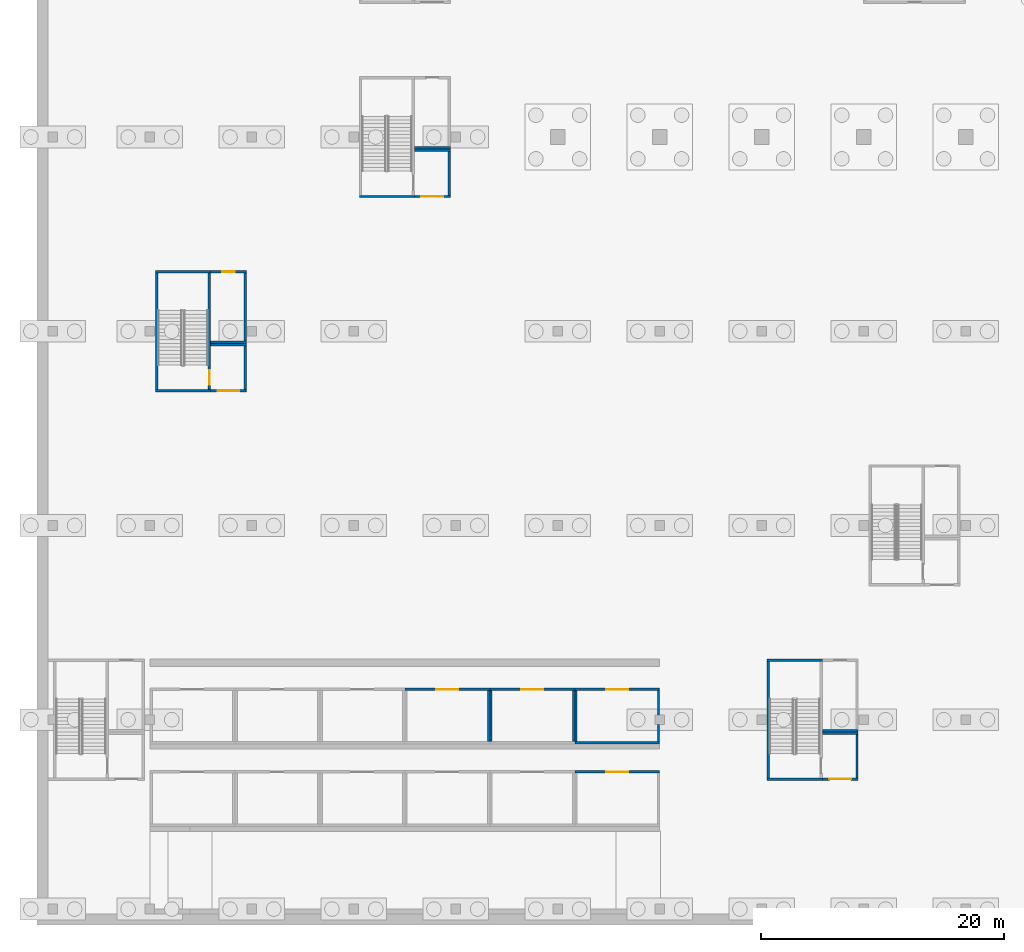
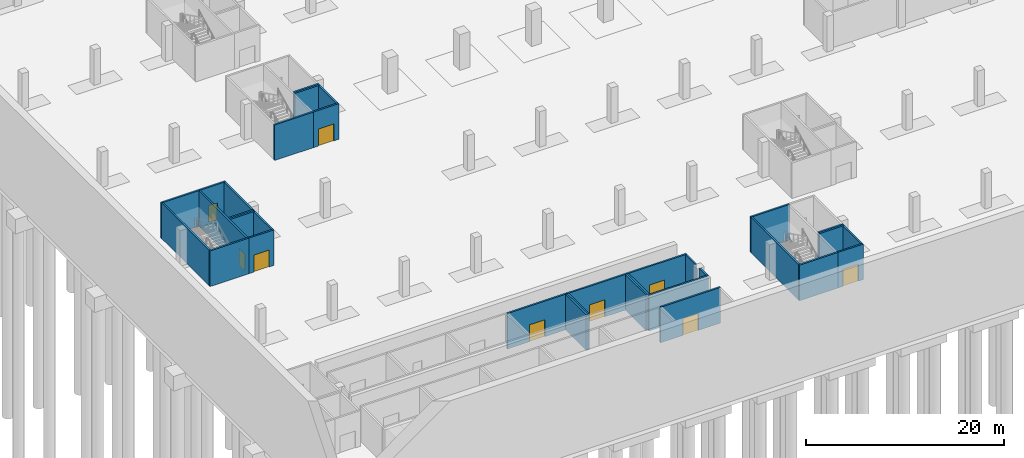
# One storey, part 7 of 46: 33 walls, 9 doors, 9 openings.
"""IFC4 building model written with IfcOpenShell, lengths in metres."""

from ifc_helpers import new_model, si_unit, direction, frame, frame_2d, origin, place, context, subcontext, project, spatial, rectangle, extrude, material, layer, layer_set, type_object, element, fill, save


model = new_model("IFC4")

# Units and contexts
model_context = context("Model", 3, precision=1e-05, world=origin(), true_north=direction((0.0, 1.0)))
body_context = subcontext(model_context, "Body", "Model", "MODEL_VIEW")
ifc_project = project(units=[si_unit("LENGTHUNIT", "METRE"), si_unit("AREAUNIT", "SQUARE_METRE"), si_unit("VOLUMEUNIT", "CUBIC_METRE"), si_unit("PLANEANGLEUNIT", "RADIAN"), si_unit("MASSUNIT", "GRAM", prefix="KILO")], contexts=[model_context])

# Site, building, storey
site_placement = place(None, origin())
site = spatial("IfcSite", under=ifc_project, at=site_placement, CompositionType="ELEMENT")
building_placement = place(site_placement, origin())
building = spatial("IfcBuilding", under=site, at=building_placement, Name="Tamra Quay Hotel Tower", CompositionType="ELEMENT")
storey_placement = place(building_placement, frame((0.0, 0.0, -12.0)))
storey = spatial("IfcBuildingStorey", under=building, at=storey_placement, Name="B3", CompositionType="ELEMENT", Elevation=-12.0)

# Wall, opening, door
ifc_material_1 = material(Name="Blockwork", Category="masonry")
ifc_layer_1 = layer(ifc_material_1, 0.199951171875)
ifc_layer_set_1 = layer_set([ifc_layer_1], Name="Car park room wall 200")
wall_type_1 = type_object("IfcWallType", Name="Car park room wall 200", PredefinedType="PARTITIONING", material=ifc_layer_set_1)
wall_1_placement = place(storey_placement, frame((-79.300048828125, -68.300048828125, 0.0), z_axis=(0.0, 0.0, 1.0), x_axis=(1.0, 0.0, 0.0)))
wall_1 = element("IfcWall", 1, at=wall_1_placement, inside=storey, type_object=wall_type_1, Name="PW", PredefinedType="PARTITIONING", context=body_context, shape_type="SweptSolid", body=[
    extrude(rectangle(XDim=7.0, YDim=0.199951171875, at=frame_2d((3.5, 0.0))), origin(), (0.0, 0.0, 1.0), 4.39990234375),
])
opening_1_placement = place(wall_1_placement, frame((2.60009765625, 0.0, 0.0)))
opening_1 = element("IfcOpeningElement", 2, at=opening_1_placement, cuts=wall_1, Name="Opening PD2", PredefinedType="OPENING", context=body_context, shape_type="SweptSolid", body=[
    extrude(rectangle(XDim=1.800048828125, YDim=2.10009765625, at=frame_2d((0.89990234375, 1.050048828125))), frame((0.0, 0.10986328125, 0.0), z_axis=(0.0, -1.0, 0.0), x_axis=(1.0, 0.0, 0.0)), (0.0, 0.0, 1.0), 0.219970703125),
])
ifc_material_2 = material(Name="Plant door 1800 x 2100")
door_type_1 = type_object("IfcDoorType", Name="Plant door 1800 x 2100", OperationType="DOUBLE_DOOR_SINGLE_SWING", PredefinedType="DOOR", material=ifc_material_2)
door_1_placement = place(opening_1_placement, origin())
door_1 = element("IfcDoor", 3, at=door_1_placement, inside=storey, type_object=door_type_1, Name="PD2", OperationType="DOUBLE_DOOR_SINGLE_SWING", OverallHeight=2.10009765625, OverallWidth=1.800048828125, PredefinedType="DOOR", context=body_context, shape_type="SweptSolid", body=[
    extrude(rectangle(XDim=1.800048828125, YDim=2.10009765625, at=frame_2d((0.89990234375, 1.050048828125))), frame((0.0, 0.02490234375, 0.0), z_axis=(0.0, -1.0, 0.0), x_axis=(1.0, 0.0, 0.0)), (0.0, 0.0, 1.0), 0.050048828125),
])
fill(opening_1, door_1)

wall_2_placement = place(storey_placement, frame((-93.300048828125, -61.5, 0.0), z_axis=(0.0, 0.0, 1.0), x_axis=(1.0, 0.0, 0.0)))
wall_2 = element("IfcWall", 4, at=wall_2_placement, inside=storey, type_object=wall_type_1, Name="PW", PredefinedType="PARTITIONING", context=body_context, shape_type="SweptSolid", body=[
    extrude(rectangle(XDim=7.0, YDim=0.199951171875, at=frame_2d((3.5, 0.0))), origin(), (0.0, 0.0, 1.0), 4.39990234375),
])
opening_2_placement = place(wall_2_placement, frame((2.60009765625, 0.0, 0.0)))
opening_2 = element("IfcOpeningElement", 5, at=opening_2_placement, cuts=wall_2, Name="Opening PD2", PredefinedType="OPENING", context=body_context, shape_type="SweptSolid", body=[
    extrude(rectangle(XDim=1.800048828125, YDim=2.10009765625, at=frame_2d((0.89990234375, 1.050048828125))), frame((0.0, 0.10986328125, 0.0), z_axis=(0.0, -1.0, 0.0), x_axis=(1.0, 0.0, 0.0)), (0.0, 0.0, 1.0), 0.219970703125),
])
door_2_placement = place(opening_2_placement, origin())
door_2 = element("IfcDoor", 6, at=door_2_placement, inside=storey, type_object=door_type_1, Name="PD2", OperationType="DOUBLE_DOOR_SINGLE_SWING", OverallHeight=2.10009765625, OverallWidth=1.800048828125, PredefinedType="DOOR", context=body_context, shape_type="SweptSolid", body=[
    extrude(rectangle(XDim=1.800048828125, YDim=2.10009765625, at=frame_2d((0.89990234375, 1.050048828125))), frame((0.0, 0.02490234375, 0.0), z_axis=(0.0, -1.0, 0.0), x_axis=(1.0, 0.0, 0.0)), (0.0, 0.0, 1.0), 0.050048828125),
])
fill(opening_2, door_2)

# Wall
wall_3_placement = place(storey_placement, frame((-86.39990234375, -65.800048828125, 0.0), z_axis=(0.0, 0.0, 1.0), x_axis=(0.0, 1.0, 0.0)))
element("IfcWall", 7, at=wall_3_placement, inside=storey, type_object=wall_type_1, Name="PW", PredefinedType="PARTITIONING", context=body_context, shape_type="SweptSolid", body=[
    extrude(rectangle(XDim=4.199951171875, YDim=0.199951171875, at=frame_2d((2.10009765625, 0.0))), origin(), (0.0, 0.0, 1.0), 4.39990234375),
])

# Wall, opening, door
wall_4_placement = place(storey_placement, frame((-86.300048828125, -61.5, 0.0), z_axis=(0.0, 0.0, 1.0), x_axis=(1.0, 0.0, 0.0)))
wall_4 = element("IfcWall", 8, at=wall_4_placement, inside=storey, type_object=wall_type_1, Name="PW", PredefinedType="PARTITIONING", context=body_context, shape_type="SweptSolid", body=[
    extrude(rectangle(XDim=7.0, YDim=0.199951171875, at=frame_2d((3.5, 0.0))), origin(), (0.0, 0.0, 1.0), 4.39990234375),
])
opening_3_placement = place(wall_4_placement, frame((2.60009765625, 0.0, 0.0)))
opening_3 = element("IfcOpeningElement", 9, at=opening_3_placement, cuts=wall_4, Name="Opening PD2", PredefinedType="OPENING", context=body_context, shape_type="SweptSolid", body=[
    extrude(rectangle(XDim=1.800048828125, YDim=2.10009765625, at=frame_2d((0.89990234375, 1.050048828125))), frame((0.0, 0.10986328125, 0.0), z_axis=(0.0, -1.0, 0.0), x_axis=(1.0, 0.0, 0.0)), (0.0, 0.0, 1.0), 0.219970703125),
])
door_3_placement = place(opening_3_placement, origin())
door_3 = element("IfcDoor", 10, at=door_3_placement, inside=storey, type_object=door_type_1, Name="PD2", OperationType="DOUBLE_DOOR_SINGLE_SWING", OverallHeight=2.10009765625, OverallWidth=1.800048828125, PredefinedType="DOOR", context=body_context, shape_type="SweptSolid", body=[
    extrude(rectangle(XDim=1.800048828125, YDim=2.10009765625, at=frame_2d((0.89990234375, 1.050048828125))), frame((0.0, 0.02490234375, 0.0), z_axis=(0.0, -1.0, 0.0), x_axis=(1.0, 0.0, 0.0)), (0.0, 0.0, 1.0), 0.050048828125),
])
fill(opening_3, door_3)

# Walls
for number, where, z_axis, x_axis, name in (
    (11, (-86.199951171875, -65.800048828125, 0.0), (0.0, 0.0, 1.0), (0.0, 1.0, 0.0), "PW"),
    (12, (-79.39990234375, -65.800048828125, 0.0), (0.0, 0.0, 1.0), (0.0, 1.0, 0.0), "PW"),
):
    element("IfcWall", number, at=place(storey_placement, frame(where, z_axis=z_axis, x_axis=x_axis)), inside=storey, type_object=wall_type_1, Name=name, PredefinedType="PARTITIONING", context=body_context, shape_type="SweptSolid", body=[
        extrude(rectangle(XDim=4.199951171875, YDim=0.199951171875, at=frame_2d((2.10009765625, 0.0))), origin(), (0.0, 0.0, 1.0), 4.39990234375),
    ])
wall_5_placement = place(storey_placement, frame((-79.300048828125, -65.89990234375, 0.0), z_axis=(0.0, 0.0, 1.0), x_axis=(1.0, 0.0, 0.0)))
element("IfcWall", 13, at=wall_5_placement, inside=storey, type_object=wall_type_1, Name="PW", PredefinedType="PARTITIONING", context=body_context, shape_type="SweptSolid", body=[
    extrude(rectangle(XDim=7.0, YDim=0.199951171875, at=frame_2d((3.5, 0.0))), origin(), (0.0, 0.0, 1.0), 4.39990234375),
])

# Wall, opening, door
wall_6_placement = place(storey_placement, frame((-79.300048828125, -61.5, 0.0), z_axis=(0.0, 0.0, 1.0), x_axis=(1.0, 0.0, 0.0)))
wall_6 = element("IfcWall", 14, at=wall_6_placement, inside=storey, type_object=wall_type_1, Name="PW", PredefinedType="PARTITIONING", context=body_context, shape_type="SweptSolid", body=[
    extrude(rectangle(XDim=7.0, YDim=0.199951171875, at=frame_2d((3.5, 0.0))), origin(), (0.0, 0.0, 1.0), 4.39990234375),
])
opening_4_placement = place(wall_6_placement, frame((2.60009765625, 0.0, 0.0)))
opening_4 = element("IfcOpeningElement", 15, at=opening_4_placement, cuts=wall_6, Name="Opening PD2", PredefinedType="OPENING", context=body_context, shape_type="SweptSolid", body=[
    extrude(rectangle(XDim=1.800048828125, YDim=2.10009765625, at=frame_2d((0.89990234375, 1.050048828125))), frame((0.0, 0.10986328125, 0.0), z_axis=(0.0, -1.0, 0.0), x_axis=(1.0, 0.0, 0.0)), (0.0, 0.0, 1.0), 0.219970703125),
])
door_4_placement = place(opening_4_placement, origin())
door_4 = element("IfcDoor", 16, at=door_4_placement, inside=storey, type_object=door_type_1, Name="PD2", OperationType="DOUBLE_DOOR_SINGLE_SWING", OverallHeight=2.10009765625, OverallWidth=1.800048828125, PredefinedType="DOOR", context=body_context, shape_type="SweptSolid", body=[
    extrude(rectangle(XDim=1.800048828125, YDim=2.10009765625, at=frame_2d((0.89990234375, 1.050048828125))), frame((0.0, 0.02490234375, 0.0), z_axis=(0.0, -1.0, 0.0), x_axis=(1.0, 0.0, 0.0)), (0.0, 0.0, 1.0), 0.050048828125),
])
fill(opening_4, door_4)

# Walls
wall_7_placement = place(storey_placement, frame((-79.199951171875, -65.800048828125, 0.0), z_axis=(0.0, 0.0, 1.0), x_axis=(0.0, 1.0, 0.0)))
element("IfcWall", 17, at=wall_7_placement, inside=storey, type_object=wall_type_1, Name="PW", PredefinedType="PARTITIONING", context=body_context, shape_type="SweptSolid", body=[
    extrude(rectangle(XDim=4.199951171875, YDim=0.199951171875, at=frame_2d((2.10009765625, 0.0))), origin(), (0.0, 0.0, 1.0), 4.39990234375),
])
wall_8_placement = place(storey_placement, frame((-72.39990234375, -65.800048828125, 0.0), z_axis=(0.0, 0.0, 1.0), x_axis=(0.0, 1.0, 0.0)))
element("IfcWall", 18, at=wall_8_placement, inside=storey, type_object=wall_type_1, Name="PW", PredefinedType="PARTITIONING", context=body_context, shape_type="SweptSolid", body=[
    extrude(rectangle(XDim=1.400146484375, YDim=0.199951171875, at=frame_2d((0.7001953125, 0.0))), origin(), (0.0, 0.0, 1.0), 4.39990234375),
])
wall_9_placement = place(storey_placement, frame((-72.39990234375, -63.60009765625, 0.0), z_axis=(0.0, 0.0, 1.0), x_axis=(0.0, 1.0, 0.0)))
element("IfcWall", 19, at=wall_9_placement, inside=storey, type_object=wall_type_1, Name="PW", PredefinedType="PARTITIONING", context=body_context, shape_type="SweptSolid", body=[
    extrude(rectangle(XDim=2.0, YDim=0.199951171875, at=frame_2d((1.0, 0.0))), origin(), (0.0, 0.0, 1.0), 4.39990234375),
])

# Wall, opening, door
wall_10_placement = place(storey_placement, frame((-109.300048828125, -36.89990234375, 0.0), z_axis=(0.0, 0.0, 1.0), x_axis=(1.0, 0.0, 0.0)))
wall_10 = element("IfcWall", 20, at=wall_10_placement, inside=storey, type_object=wall_type_1, Name="PW", PredefinedType="PARTITIONING", context=body_context, shape_type="SweptSolid", body=[
    extrude(rectangle(XDim=2.949951171875, YDim=0.199951171875, at=frame_2d((1.47509765625, 0.0))), origin(), (0.0, 0.0, 1.0), 4.39990234375),
])
opening_5_placement = place(wall_10_placement, frame((0.574951171875, 0.0, 0.0)))
opening_5 = element("IfcOpeningElement", 21, at=opening_5_placement, cuts=wall_10, Name="Opening PD2", PredefinedType="OPENING", context=body_context, shape_type="SweptSolid", body=[
    extrude(rectangle(XDim=1.800048828125, YDim=2.10009765625, at=frame_2d((0.89990234375, 1.050048828125))), frame((0.0, 0.10986328125, 0.0), z_axis=(0.0, -1.0, 0.0), x_axis=(1.0, 0.0, 0.0)), (0.0, 0.0, 1.0), 0.219970703125),
])
door_5_placement = place(opening_5_placement, origin())
door_5 = element("IfcDoor", 22, at=door_5_placement, inside=storey, type_object=door_type_1, Name="PD2", OperationType="DOUBLE_DOOR_SINGLE_SWING", OverallHeight=2.10009765625, OverallWidth=1.800048828125, PredefinedType="DOOR", context=body_context, shape_type="SweptSolid", body=[
    extrude(rectangle(XDim=1.800048828125, YDim=2.10009765625, at=frame_2d((0.89990234375, 1.050048828125))), frame((0.0, 0.02490234375, 0.0), z_axis=(0.0, -1.0, 0.0), x_axis=(1.0, 0.0, 0.0)), (0.0, 0.0, 1.0), 0.050048828125),
])
fill(opening_5, door_5)

# Walls
wall_11_placement = place(storey_placement, frame((-109.300048828125, -33.10009765625, 0.0), z_axis=(0.0, 0.0, 1.0), x_axis=(1.0, 0.0, 0.0)))
element("IfcWall", 23, at=wall_11_placement, inside=storey, type_object=wall_type_1, Name="PW", PredefinedType="PARTITIONING", context=body_context, shape_type="SweptSolid", body=[
    extrude(rectangle(XDim=2.949951171875, YDim=0.199951171875, at=frame_2d((1.47509765625, 0.0))), origin(), (0.0, 0.0, 1.0), 4.39990234375),
])
wall_12_placement = place(storey_placement, frame((-106.449951171875, -36.800048828125, 0.0), z_axis=(0.0, 0.0, 1.0), x_axis=(0.0, 1.0, 0.0)))
element("IfcWall", 24, at=wall_12_placement, inside=storey, type_object=wall_type_1, Name="PW", PredefinedType="PARTITIONING", context=body_context, shape_type="SweptSolid", body=[
    extrude(rectangle(XDim=3.60009765625, YDim=0.199951171875, at=frame_2d((1.800048828125, 0.0))), origin(), (0.0, 0.0, 1.0), 4.39990234375),
])
wall_13_placement = place(storey_placement, frame((-109.300048828125, -32.89990234375, 0.0), z_axis=(0.0, 0.0, 1.0), x_axis=(1.0, 0.0, 0.0)))
element("IfcWall", 25, at=wall_13_placement, inside=storey, type_object=wall_type_1, Name="PW", PredefinedType="PARTITIONING", context=body_context, shape_type="SweptSolid", body=[
    extrude(rectangle(XDim=2.949951171875, YDim=0.199951171875, at=frame_2d((1.47509765625, 0.0))), origin(), (0.0, 0.0, 1.0), 4.39990234375),
])

# Wall, opening, door
wall_14_placement = place(storey_placement, frame((-109.300048828125, -27.10009765625, 0.0), z_axis=(0.0, 0.0, 1.0), x_axis=(1.0, 0.0, 0.0)))
wall_14 = element("IfcWall", 26, at=wall_14_placement, inside=storey, type_object=wall_type_1, Name="PW", PredefinedType="PARTITIONING", context=body_context, shape_type="SweptSolid", body=[
    extrude(rectangle(XDim=2.949951171875, YDim=0.199951171875, at=frame_2d((1.47509765625, 0.0))), origin(), (0.0, 0.0, 1.0), 4.39990234375),
])
opening_6_placement = place(wall_14_placement, frame((0.97509765625, 0.0, 0.0)))
opening_6 = element("IfcOpeningElement", 27, at=opening_6_placement, cuts=wall_14, Name="Opening PD1", PredefinedType="OPENING", context=body_context, shape_type="SweptSolid", body=[
    extrude(rectangle(XDim=1.0, YDim=2.10009765625, at=frame_2d((0.5, 1.050048828125))), frame((0.0, 0.10986328125, 0.0), z_axis=(0.0, -1.0, 0.0), x_axis=(1.0, 0.0, 0.0)), (0.0, 0.0, 1.0), 0.219970703125),
])
ifc_material_3 = material(Name="Car park door 1000 x 2100")
door_type_2 = type_object("IfcDoorType", Name="Car park door 1000 x 2100", OperationType="NOTDEFINED", PredefinedType="DOOR", material=ifc_material_3)
door_6_placement = place(opening_6_placement, origin())
door_6 = element("IfcDoor", 28, at=door_6_placement, inside=storey, type_object=door_type_2, Name="PD1", OperationType="SINGLE_SWING_LEFT", OverallHeight=2.10009765625, OverallWidth=1.0, PredefinedType="DOOR", context=body_context, shape_type="SweptSolid", body=[
    extrude(rectangle(XDim=1.0, YDim=2.10009765625, at=frame_2d((0.5, 1.050048828125))), frame((0.0, 0.02490234375, 0.0), z_axis=(0.0, -1.0, 0.0), x_axis=(1.0, 0.0, 0.0)), (0.0, 0.0, 1.0), 0.050048828125),
])
fill(opening_6, door_6)

# Wall
wall_15_placement = place(storey_placement, frame((-106.449951171875, -32.800048828125, 0.0), z_axis=(0.0, 0.0, 1.0), x_axis=(0.0, 1.0, 0.0)))
element("IfcWall", 29, at=wall_15_placement, inside=storey, type_object=wall_type_1, Name="PW", PredefinedType="PARTITIONING", context=body_context, shape_type="SweptSolid", body=[
    extrude(rectangle(XDim=5.60009765625, YDim=0.199951171875, at=frame_2d((2.800048828125, 0.0))), origin(), (0.0, 0.0, 1.0), 4.39990234375),
])

# Wall, opening, door
wall_16_placement = place(storey_placement, frame((-92.5, -20.89990234375, 0.0), z_axis=(0.0, 0.0, 1.0), x_axis=(1.0, 0.0, 0.0)))
wall_16 = element("IfcWall", 30, at=wall_16_placement, inside=storey, type_object=wall_type_1, Name="PW", PredefinedType="PARTITIONING", context=body_context, shape_type="SweptSolid", body=[
    extrude(rectangle(XDim=2.949951171875, YDim=0.199951171875, at=frame_2d((1.47509765625, 0.0))), origin(), (0.0, 0.0, 1.0), 4.39990234375),
])
opening_7_placement = place(wall_16_placement, frame((0.574951171875, 0.0, 0.0)))
opening_7 = element("IfcOpeningElement", 31, at=opening_7_placement, cuts=wall_16, Name="Opening PD2", PredefinedType="OPENING", context=body_context, shape_type="SweptSolid", body=[
    extrude(rectangle(XDim=1.800048828125, YDim=2.10009765625, at=frame_2d((0.89990234375, 1.050048828125))), frame((0.0, 0.10986328125, 0.0), z_axis=(0.0, -1.0, 0.0), x_axis=(1.0, 0.0, 0.0)), (0.0, 0.0, 1.0), 0.219970703125),
])
door_7_placement = place(opening_7_placement, origin())
door_7 = element("IfcDoor", 32, at=door_7_placement, inside=storey, type_object=door_type_1, Name="PD2", OperationType="DOUBLE_DOOR_SINGLE_SWING", OverallHeight=2.10009765625, OverallWidth=1.800048828125, PredefinedType="DOOR", context=body_context, shape_type="SweptSolid", body=[
    extrude(rectangle(XDim=1.800048828125, YDim=2.10009765625, at=frame_2d((0.89990234375, 1.050048828125))), frame((0.0, 0.02490234375, 0.0), z_axis=(0.0, -1.0, 0.0), x_axis=(1.0, 0.0, 0.0)), (0.0, 0.0, 1.0), 0.050048828125),
])
fill(opening_7, door_7)

# Walls
wall_17_placement = place(storey_placement, frame((-92.5, -17.10009765625, 0.0), z_axis=(0.0, 0.0, 1.0), x_axis=(1.0, 0.0, 0.0)))
element("IfcWall", 33, at=wall_17_placement, inside=storey, type_object=wall_type_1, Name="PW", PredefinedType="PARTITIONING", context=body_context, shape_type="SweptSolid", body=[
    extrude(rectangle(XDim=2.949951171875, YDim=0.199951171875, at=frame_2d((1.47509765625, 0.0))), origin(), (0.0, 0.0, 1.0), 4.39990234375),
])
wall_18_placement = place(storey_placement, frame((-89.64990234375, -20.800048828125, 0.0), z_axis=(0.0, 0.0, 1.0), x_axis=(0.0, 1.0, 0.0)))
element("IfcWall", 34, at=wall_18_placement, inside=storey, type_object=wall_type_1, Name="PW", PredefinedType="PARTITIONING", context=body_context, shape_type="SweptSolid", body=[
    extrude(rectangle(XDim=3.60009765625, YDim=0.199951171875, at=frame_2d((1.800048828125, 0.0))), origin(), (0.0, 0.0, 1.0), 4.39990234375),
])
wall_19_placement = place(storey_placement, frame((-92.5, -16.89990234375, 0.0), z_axis=(0.0, 0.0, 1.0), x_axis=(1.0, 0.0, 0.0)))
element("IfcWall", 35, at=wall_19_placement, inside=storey, type_object=wall_type_1, Name="PW", PredefinedType="PARTITIONING", context=body_context, shape_type="SweptSolid", body=[
    extrude(rectangle(XDim=2.949951171875, YDim=0.199951171875, at=frame_2d((1.47509765625, 0.0))), origin(), (0.0, 0.0, 1.0), 4.39990234375),
])

# Wall, opening, door
wall_20_placement = place(storey_placement, frame((-58.89990234375, -68.89990234375, 0.0), z_axis=(0.0, 0.0, 1.0), x_axis=(1.0, 0.0, 0.0)))
wall_20 = element("IfcWall", 36, at=wall_20_placement, inside=storey, type_object=wall_type_1, Name="PW", PredefinedType="PARTITIONING", context=body_context, shape_type="SweptSolid", body=[
    extrude(rectangle(XDim=2.949951171875, YDim=0.199951171875, at=frame_2d((1.47509765625, 0.0))), origin(), (0.0, 0.0, 1.0), 4.39990234375),
])
opening_8_placement = place(wall_20_placement, frame((0.574951171875, 0.0, 0.0)))
opening_8 = element("IfcOpeningElement", 37, at=opening_8_placement, cuts=wall_20, Name="Opening PD2", PredefinedType="OPENING", context=body_context, shape_type="SweptSolid", body=[
    extrude(rectangle(XDim=1.800048828125, YDim=2.10009765625, at=frame_2d((0.89990234375, 1.050048828125))), frame((0.0, 0.10986328125, 0.0), z_axis=(0.0, -1.0, 0.0), x_axis=(1.0, 0.0, 0.0)), (0.0, 0.0, 1.0), 0.219970703125),
])
door_8_placement = place(opening_8_placement, origin())
door_8 = element("IfcDoor", 38, at=door_8_placement, inside=storey, type_object=door_type_1, Name="PD2", OperationType="DOUBLE_DOOR_SINGLE_SWING", OverallHeight=2.10009765625, OverallWidth=1.800048828125, PredefinedType="DOOR", context=body_context, shape_type="SweptSolid", body=[
    extrude(rectangle(XDim=1.800048828125, YDim=2.10009765625, at=frame_2d((0.89990234375, 1.050048828125))), frame((0.0, 0.02490234375, 0.0), z_axis=(0.0, -1.0, 0.0), x_axis=(1.0, 0.0, 0.0)), (0.0, 0.0, 1.0), 0.050048828125),
])
fill(opening_8, door_8)

# Walls
wall_21_placement = place(storey_placement, frame((-58.89990234375, -65.10009765625, 0.0), z_axis=(0.0, 0.0, 1.0), x_axis=(1.0, 0.0, 0.0)))
element("IfcWall", 39, at=wall_21_placement, inside=storey, type_object=wall_type_1, Name="PW", PredefinedType="PARTITIONING", context=body_context, shape_type="SweptSolid", body=[
    extrude(rectangle(XDim=2.949951171875, YDim=0.199951171875, at=frame_2d((1.47509765625, 0.0))), origin(), (0.0, 0.0, 1.0), 4.39990234375),
])
wall_22_placement = place(storey_placement, frame((-56.050048828125, -68.800048828125, 0.0), z_axis=(0.0, 0.0, 1.0), x_axis=(0.0, 1.0, 0.0)))
element("IfcWall", 40, at=wall_22_placement, inside=storey, type_object=wall_type_1, Name="PW", PredefinedType="PARTITIONING", context=body_context, shape_type="SweptSolid", body=[
    extrude(rectangle(XDim=3.60009765625, YDim=0.199951171875, at=frame_2d((1.800048828125, 0.0))), origin(), (0.0, 0.0, 1.0), 4.39990234375),
])
wall_23_placement = place(storey_placement, frame((-58.89990234375, -64.89990234375, 0.0), z_axis=(0.0, 0.0, 1.0), x_axis=(1.0, 0.0, 0.0)))
element("IfcWall", 41, at=wall_23_placement, inside=storey, type_object=wall_type_1, Name="PW", PredefinedType="PARTITIONING", context=body_context, shape_type="SweptSolid", body=[
    extrude(rectangle(XDim=2.949951171875, YDim=0.199951171875, at=frame_2d((1.47509765625, 0.0))), origin(), (0.0, 0.0, 1.0), 4.39990234375),
])
ifc_material_4 = material(Name="Concrete M70", Category="concrete")
ifc_layer_2 = layer(ifc_material_4, 0.199951171875)
ifc_layer_set_2 = layer_set([ifc_layer_2], Name="Concrete M70 stair enclosure wall 200")
wall_type_2 = type_object("IfcWallType", Name="Concrete M70 stair enclosure wall 200", PredefinedType="SOLIDWALL", material=ifc_layer_set_2)
wall_24_placement = place(storey_placement, frame((-113.75, -36.800048828125, 0.0), z_axis=(0.0, 0.0, 1.0), x_axis=(0.0, 1.0, 0.0)))
element("IfcWall", 42, at=wall_24_placement, inside=storey, type_object=wall_type_2, Name="SEW", PredefinedType="SOLIDWALL", context=body_context, shape_type="SweptSolid", body=[
    extrude(rectangle(XDim=9.60009765625, YDim=0.199951171875, at=frame_2d((4.800048828125, 0.0))), origin(), (0.0, 0.0, 1.0), 4.39990234375),
])

# Wall, opening, door
wall_25_placement = place(storey_placement, frame((-109.39990234375, -36.800048828125, 0.0), z_axis=(0.0, 0.0, 1.0), x_axis=(0.0, 1.0, 0.0)))
wall_25 = element("IfcWall", 43, at=wall_25_placement, inside=storey, type_object=wall_type_2, Name="SEW", PredefinedType="SOLIDWALL", context=body_context, shape_type="SweptSolid", body=[
    extrude(rectangle(XDim=9.60009765625, YDim=0.199951171875, at=frame_2d((4.800048828125, 0.0))), origin(), (0.0, 0.0, 1.0), 4.39990234375),
])
opening_9_placement = place(wall_25_placement, frame((0.39990234375, 0.0, 0.0)))
opening_9 = element("IfcOpeningElement", 44, at=opening_9_placement, cuts=wall_25, Name="Opening SD1", PredefinedType="OPENING", context=body_context, shape_type="SweptSolid", body=[
    extrude(rectangle(XDim=1.199951171875, YDim=2.10009765625, at=frame_2d((0.60009765625, 1.050048828125))), frame((0.0, 0.10986328125, 0.0), z_axis=(0.0, -1.0, 0.0), x_axis=(1.0, 0.0, 0.0)), (0.0, 0.0, 1.0), 0.219970703125),
])
ifc_material_5 = material(Name="Stair door 1200 x 2100")
door_type_3 = type_object("IfcDoorType", Name="Stair door 1200 x 2100", OperationType="NOTDEFINED", PredefinedType="DOOR", material=ifc_material_5)
door_9_placement = place(opening_9_placement, origin())
door_9 = element("IfcDoor", 45, at=door_9_placement, inside=storey, type_object=door_type_3, Name="SD1", OperationType="SINGLE_SWING_LEFT", OverallHeight=2.10009765625, OverallWidth=1.199951171875, PredefinedType="DOOR", context=body_context, shape_type="SweptSolid", body=[
    extrude(rectangle(XDim=1.199951171875, YDim=2.10009765625, at=frame_2d((0.60009765625, 1.050048828125))), frame((0.0, 0.02490234375, 0.0), z_axis=(0.0, -1.0, 0.0), x_axis=(1.0, 0.0, 0.0)), (0.0, 0.0, 1.0), 0.050048828125),
])
fill(opening_9, door_9)

# Walls
for number, where, z_axis, x_axis, name in (
    (46, (-109.300048828125, -36.89990234375, 0.0), (0.0, 0.0, 1.0), (-1.0, 0.0, 0.0), "SEW"),
    (47, (-113.85009765625, -27.10009765625, 0.0), (0.0, 0.0, 1.0), (1.0, 0.0, 0.0), "SEW"),
    (48, (-92.5, -20.89990234375, 0.0), (0.0, 0.0, 1.0), (-1.0, 0.0, 0.0), "SEW"),
):
    element("IfcWall", number, at=place(storey_placement, frame(where, z_axis=z_axis, x_axis=x_axis)), inside=storey, type_object=wall_type_2, Name=name, PredefinedType="SOLIDWALL", context=body_context, shape_type="SweptSolid", body=[
        extrude(rectangle(XDim=4.550048828125, YDim=0.199951171875, at=frame_2d((2.27490234375, 0.0))), origin(), (0.0, 0.0, 1.0), 4.39990234375),
    ])
wall_26_placement = place(storey_placement, frame((-63.35009765625, -68.800048828125, 0.0), z_axis=(0.0, 0.0, 1.0), x_axis=(0.0, 1.0, 0.0)))
element("IfcWall", 49, at=wall_26_placement, inside=storey, type_object=wall_type_2, Name="SEW", PredefinedType="SOLIDWALL", context=body_context, shape_type="SweptSolid", body=[
    extrude(rectangle(XDim=9.60009765625, YDim=0.199951171875, at=frame_2d((4.800048828125, 0.0))), origin(), (0.0, 0.0, 1.0), 4.39990234375),
])
for number, where, z_axis, x_axis, name in (
    (50, (-58.89990234375, -68.89990234375, 0.0), (0.0, 0.0, 1.0), (-1.0, 0.0, 0.0), "SEW"),
    (51, (-63.449951171875, -59.10009765625, 0.0), (0.0, 0.0, 1.0), (1.0, 0.0, 0.0), "SEW"),
):
    element("IfcWall", number, at=place(storey_placement, frame(where, z_axis=z_axis, x_axis=x_axis)), inside=storey, type_object=wall_type_2, Name=name, PredefinedType="SOLIDWALL", context=body_context, shape_type="SweptSolid", body=[
        extrude(rectangle(XDim=4.550048828125, YDim=0.199951171875, at=frame_2d((2.27490234375, 0.0))), origin(), (0.0, 0.0, 1.0), 4.39990234375),
    ])

save(model, "model.ifc")
